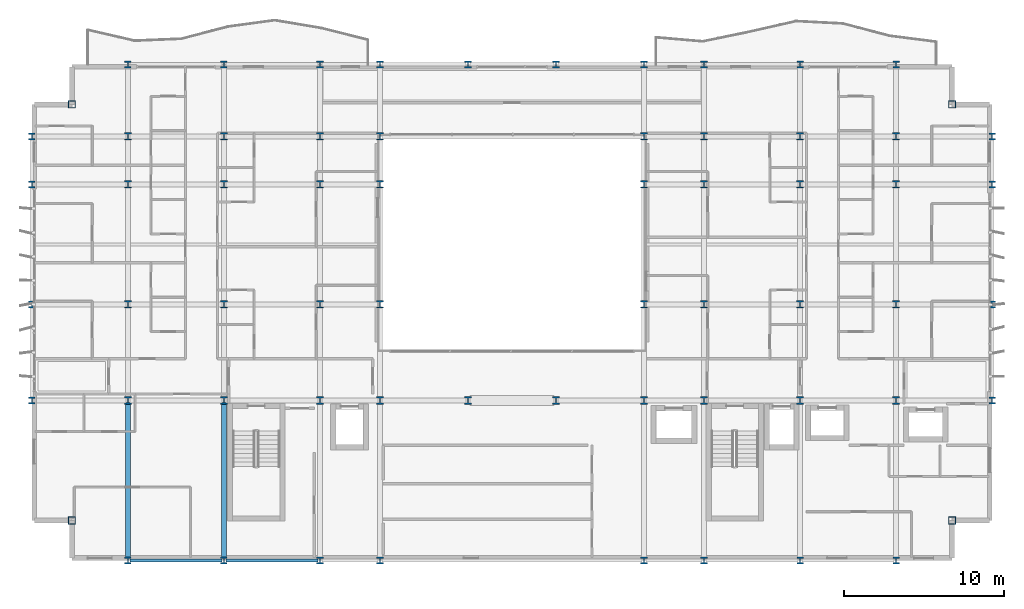
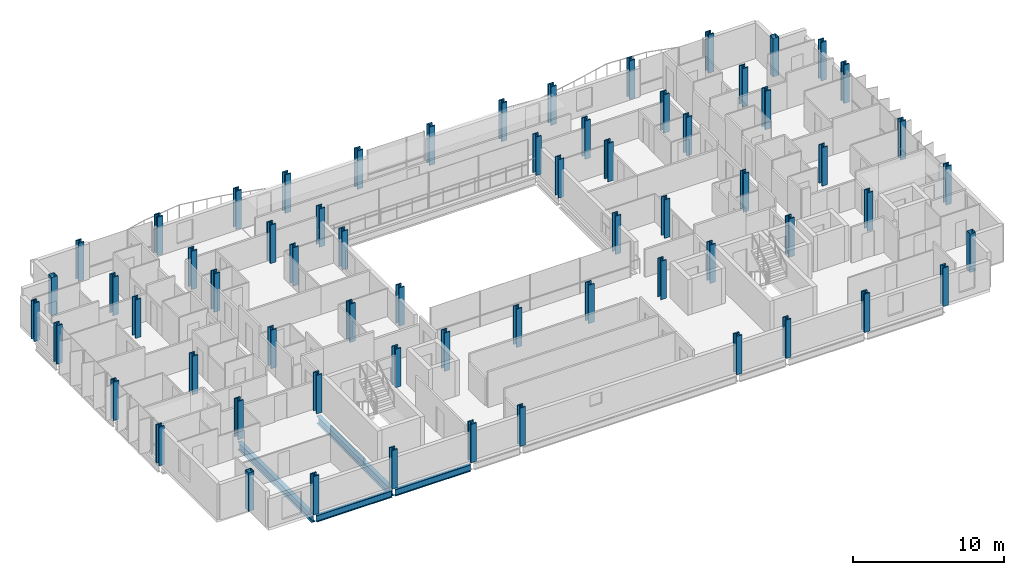
# One storey, part 1 of 39: 64 columns, 4 beams.
"""IFC4 building model written with IfcOpenShell, lengths in metres."""

import ifcopenshell
import ifcopenshell.guid

model = None  # the IFC model being written
_history = None  # IfcOwnerHistory: only IFC2X3 demands one
_inside = {}  # id of a spatial element -> (the spatial element, [elements in it])
_under = {}  # id of a project, library or spatial element -> (it, [spatial elements below it])
_declared = {}  # id of a project -> (the project, [libraries it declares])
_typed = {}  # id of a type object -> (the type object, [elements of that type])
_made_of = {}  # id of a material, layer set ... -> (it, [elements and type objects made of it])


def new_model(schema):
    """Start an empty IFC model of exactly this schema.

    Asked for "IFC4X3", IfcOpenShell would pick the latest addendum, in which some entities
    have other attributes; the version numbers below select the first issue.
    IFC2X3 requires an IfcOwnerHistory on every rooted entity: one is made here for all.
    """
    global model, _history
    if schema == "IFC4X3":
        model = ifcopenshell.file(schema_version=(4, 3, 0, 0))
    else:
        model = ifcopenshell.file(schema=schema)
    _inside.clear()
    _under.clear()
    _declared.clear()
    _typed.clear()
    _made_of.clear()
    _history = None
    if model.schema == "IFC2X3":
        org = make("IfcOrganization", Name="unknown")
        user = make(
            "IfcPersonAndOrganization",
            ThePerson=make("IfcPerson", FamilyName="unknown"),
            TheOrganization=org,
        )
        app = make(
            "IfcApplication",
            ApplicationDeveloper=org,
            Version="unknown",
            ApplicationFullName="unknown",
            ApplicationIdentifier="unknown",
        )
        _history = make(
            "IfcOwnerHistory",
            OwningUser=user,
            OwningApplication=app,
            ChangeAction="ADDED",
            CreationDate=0,
        )
    return model


def make(cls, **values):
    """One entity of the class cls with the attributes given. An attribute that is None is left unset."""
    return model.create_entity(
        cls, **{name: value for name, value in values.items() if value is not None}
    )


def rooted(cls, **values):
    """An entity with a GlobalId (a new one), such as an element, a storey or a relation."""
    return make(cls, GlobalId=ifcopenshell.guid.new(), OwnerHistory=_history, **values)


def si_unit(unit_type, name, prefix=None):
    """IfcSIUnit, for example si_unit("LENGTHUNIT", "METRE", prefix="MILLI")."""
    return make("IfcSIUnit", UnitType=unit_type, Prefix=prefix, Name=name)


def assignment(units):
    """IfcUnitAssignment: the units of a project."""
    return None if units is None else make("IfcUnitAssignment", Units=units)


def point(xyz):
    """IfcCartesianPoint."""
    return None if xyz is None else make("IfcCartesianPoint", Coordinates=xyz)


def direction(xyz):
    """IfcDirection."""
    return None if xyz is None else make("IfcDirection", DirectionRatios=xyz)


def frame(location, z_axis=None, x_axis=None):
    """IfcAxis2Placement3D, a coordinate frame: its origin and axes. An axis left out is left unset."""
    return make(
        "IfcAxis2Placement3D",
        Location=point(location),
        Axis=direction(z_axis),
        RefDirection=direction(x_axis),
    )


def frame_2d(location, x_axis=None):
    """IfcAxis2Placement2D, a coordinate frame in the plane: its origin and x axis."""
    return make(
        "IfcAxis2Placement2D", Location=point(location), RefDirection=direction(x_axis)
    )


def origin():
    """The frame at (0, 0, 0) with its axes left unset."""
    return frame((0.0, 0.0, 0.0))


def origin_2d():
    """The frame at (0, 0) in the plane with its x axis left unset."""
    return frame_2d((0.0, 0.0))


def place(relative_to, where):
    """IfcLocalPlacement: puts the frame where relative to a parent placement (None: the world)."""
    return make(
        "IfcLocalPlacement", PlacementRelTo=relative_to, RelativePlacement=where
    )


def context(
    kind, dimensions, precision=None, world=None, true_north=None, identifier=None
):
    """IfcGeometricRepresentationContext, for example the 3D "Model" context."""
    return make(
        "IfcGeometricRepresentationContext",
        ContextIdentifier=identifier,
        ContextType=kind,
        CoordinateSpaceDimension=dimensions,
        Precision=precision,
        WorldCoordinateSystem=world,
        TrueNorth=true_north,
    )


def subcontext(parent, identifier, kind, view, scale=None):
    """IfcGeometricRepresentationSubContext, for example "Body" below "Model"."""
    return make(
        "IfcGeometricRepresentationSubContext",
        ContextIdentifier=identifier,
        ContextType=kind,
        ParentContext=parent,
        TargetScale=scale,
        TargetView=view,
    )


def project(units=None, contexts=None):
    """IfcProject with its units and contexts."""
    return rooted(
        "IfcProject",
        Name="project",
        RepresentationContexts=contexts,
        UnitsInContext=assignment(units),
    )


def spatial(cls, under=None, at=None, **own):
    """A site, building, storey or space (cls), placed at a placement, below another one or the project."""
    s = rooted(cls, ObjectPlacement=at, **own)
    if under is not None:
        _under.setdefault(under.id(), (under, []))[1].append(s)
    return s


def profile(cls, at=None, kind="AREA", **sizes):
    """A parametric profile (cls). Its sizes go by their IFC names, for example OverallWidth=200.0."""
    return make(cls, ProfileType=kind, Position=at, **sizes)


def hollow_rectangle(**sizes):
    """IfcRectangleHollowProfileDef."""
    return profile("IfcRectangleHollowProfileDef", **sizes)


def i_section(**sizes):
    """IfcIShapeProfileDef."""
    return profile("IfcIShapeProfileDef", **sizes)


def extrude(swept, where, along, depth):
    """IfcExtrudedAreaSolid: the profile swept, set in the frame where, extruded along a direction by depth."""
    return make(
        "IfcExtrudedAreaSolid",
        SweptArea=swept,
        Position=where,
        ExtrudedDirection=direction(along),
        Depth=depth,
    )


def shape(context_of_items, identifier, shape_type, items):
    """IfcShapeRepresentation: the items that make up one representation, for example the "Body"."""
    return make(
        "IfcShapeRepresentation",
        ContextOfItems=context_of_items,
        RepresentationIdentifier=identifier,
        RepresentationType=shape_type,
        Items=items,
    )


def material(Name=None, Category=None):
    """IfcMaterial."""
    return make("IfcMaterial", Name=Name, Category=Category)


def material_profile(
    of_material, cross_section, Name=None, Category=None, Priority=None
):
    """IfcMaterialProfile: a cross section and its material."""
    return make(
        "IfcMaterialProfile",
        Name=Name,
        Material=of_material,
        Profile=cross_section,
        Priority=Priority,
        Category=Category,
    )


def profile_set(profiles, Name=None, composite=None):
    """IfcMaterialProfileSet."""
    return make(
        "IfcMaterialProfileSet",
        Name=Name,
        MaterialProfiles=profiles,
        CompositeProfile=composite,
    )


def made_of(thing, what):
    """Note that an element or type object is made of a material, layer set ...; save() writes the relation."""
    if what is not None:
        _made_of.setdefault(what.id(), (what, []))[1].append(thing)
    return thing


def type_object(cls, material=None, **own):
    """A type object (cls), such as IfcWallType, which elements share."""
    return made_of(rooted(cls, **own), material)


def element(
    cls,
    number,
    at=None,
    inside=None,
    cuts=None,
    type_object=None,
    material=None,
    context=None,
    identifier="Body",
    shape_type=None,
    held_by="IfcProductDefinitionShape",
    body=None,
    shapes=None,
    **own,
):
    """One element of the class cls, such as IfcWall. Its Tag is "e" and its number.

    at: its placement. inside: the storey or other place that contains it. cuts: it is an
    opening in that element (IfcRelVoidsElement). A single representation is given by context,
    identifier, shape_type and body (its items); several are given by shapes. held_by: the class
    of the entity that holds the representations. save() writes the other relations.
    """
    e = rooted(cls, Tag="e%d" % number, ObjectPlacement=at, **own)
    if body is not None:
        shapes = [shape(context, identifier, shape_type, body)]
    if shapes is not None:
        e.Representation = make(held_by, Representations=shapes)
    if inside is not None:
        _inside.setdefault(inside.id(), (inside, []))[1].append(e)
    if cuts is not None:
        rooted(
            "IfcRelVoidsElement", RelatingBuildingElement=cuts, RelatedOpeningElement=e
        )
    if type_object is not None:
        _typed.setdefault(type_object.id(), (type_object, []))[1].append(e)
    return made_of(e, material)


def aggregate(whole, parts):
    """IfcRelAggregates: a whole, such as a stair, and the parts it consists of."""
    return rooted("IfcRelAggregates", RelatingObject=whole, RelatedObjects=parts)


def save(model, path):
    """Write the relations noted so far, then the file.

    IfcRelAggregates (storeys below a building ...), IfcRelContainedInSpatialStructure (elements
    in a storey), IfcRelDefinesByType, IfcRelAssociatesMaterial and IfcRelDeclares: one each for
    every whole, place, type object, material and project.
    """
    for whole, parts in _under.values():
        aggregate(whole, parts)
    for where, things in _inside.values():
        rooted(
            "IfcRelContainedInSpatialStructure",
            RelatedElements=things,
            RelatingStructure=where,
        )
    for kind, things in _typed.values():
        rooted("IfcRelDefinesByType", RelatedObjects=things, RelatingType=kind)
    for what, things in _made_of.values():
        rooted("IfcRelAssociatesMaterial", RelatedObjects=things, RelatingMaterial=what)
    for by, libraries in _declared.values():
        rooted("IfcRelDeclares", RelatingContext=by, RelatedDefinitions=libraries)
    model.write(path)


model = new_model("IFC4")

# Units and contexts
model_context = context("Model", 3, precision=1e-05, world=origin(), true_north=direction((0.0, 1.0)))
body_context = subcontext(model_context, "Body", "Model", "MODEL_VIEW")
ifc_project = project(units=[si_unit("LENGTHUNIT", "METRE"), si_unit("AREAUNIT", "SQUARE_METRE"), si_unit("VOLUMEUNIT", "CUBIC_METRE"), si_unit("PLANEANGLEUNIT", "RADIAN"), si_unit("MASSUNIT", "GRAM", prefix="KILO")], contexts=[model_context])

# Site, building, storey
site_placement = place(None, origin())
site = spatial("IfcSite", under=ifc_project, at=site_placement, CompositionType="ELEMENT")
building_placement = place(site_placement, origin())
building = spatial("IfcBuilding", under=site, at=building_placement, Name="Brevholm Reach", CompositionType="ELEMENT")
storey_placement = place(building_placement, frame((0.0, 0.0, 34.199951171875)))
storey = spatial("IfcBuildingStorey", under=building, at=storey_placement, Name="L08", CompositionType="ELEMENT", Elevation=34.199951171875)

# Columns
ifc_material_1 = material(Name="Structural Steel S460ML", Category="steel")
ifc_material_profile_1 = material_profile(ifc_material_1, i_section(OverallWidth=0.4140625, OverallDepth=0.444091796875, WebThickness=0.060546875, FlangeThickness=0.096923828125, FilletRadius=0.014892578125, at=origin_2d()), Name="HD 400x818")
ifc_profile_set_1 = profile_set([ifc_material_profile_1], Name="Structural Steel S460ML")
column_type_1 = type_object("IfcColumnType", Name="COL-HD2", PredefinedType="COLUMN", material=ifc_profile_set_1)
for number, where, z_axis, x_axis, name in (
    (1, (0.0, 10.0, 0.0), (0.0, 0.0, 1.0), (1.0, 0.0, 0.0), "L08 Column 01"),
    (2, (0.0, 16.0, 0.0), (0.0, 0.0, 1.0), (1.0, 0.0, 0.0), "L08 Column 02"),
    (3, (0.0, 23.5, 0.0), (0.0, 0.0, 1.0), (1.0, 0.0, 0.0), "L08 Column 03"),
    (4, (0.0, 26.5, 0.0), (0.0, 0.0, 1.0), (1.0, 0.0, 0.0), "L08 Column 04"),
    (5, (6.0, 0.0, 0.0), (0.0, 0.0, 1.0), (1.0, 0.0, 0.0), "L08 Column 07"),
    (6, (6.0, 31.0, 0.0), (0.0, 0.0, 1.0), (1.0, 0.0, 0.0), "L08 Column 12"),
    (7, (12.0, 0.0, 0.0), (0.0, 0.0, 1.0), (1.0, 0.0, 0.0), "L08 Column 13"),
    (8, (12.0, 31.0, 0.0), (0.0, 0.0, 1.0), (1.0, 0.0, 0.0), "L08 Column 18"),
    (9, (18.0, 0.0, 0.0), (0.0, 0.0, 1.0), (1.0, 0.0, 0.0), "L08 Column 19"),
    (10, (18.0, 31.0, 0.0), (0.0, 0.0, 1.0), (1.0, 0.0, 0.0), "L08 Column 24"),
    (11, (21.75, 0.0, 0.0), (0.0, 0.0, 1.0), (1.0, 0.0, 0.0), "L08 Column 25"),
    (12, (21.75, 31.0, 0.0), (0.0, 0.0, 1.0), (1.0, 0.0, 0.0), "L08 Column 30"),
    (13, (27.25, 31.0, 0.0), (0.0, 0.0, 1.0), (1.0, 0.0, 0.0), "L08 Column 32"),
    (14, (32.75, 31.0, 0.0), (0.0, 0.0, 1.0), (1.0, 0.0, 0.0), "L08 Column 34"),
    (15, (38.25, 0.0, 0.0), (0.0, 0.0, 1.0), (1.0, 0.0, 0.0), "L08 Column 35"),
    (16, (38.25, 31.0, 0.0), (0.0, 0.0, 1.0), (1.0, 0.0, 0.0), "L08 Column 40"),
    (17, (42.0, 0.0, 0.0), (0.0, 0.0, 1.0), (1.0, 0.0, 0.0), "L08 Column 41"),
    (18, (42.0, 31.0, 0.0), (0.0, 0.0, 1.0), (1.0, 0.0, 0.0), "L08 Column 46"),
    (19, (48.0, 0.0, 0.0), (0.0, 0.0, 1.0), (1.0, 0.0, 0.0), "L08 Column 47"),
    (20, (48.0, 31.0, 0.0), (0.0, 0.0, 1.0), (1.0, 0.0, 0.0), "L08 Column 52"),
    (21, (54.0, 0.0, 0.0), (0.0, 0.0, 1.0), (1.0, 0.0, 0.0), "L08 Column 53"),
    (22, (54.0, 31.0, 0.0), (0.0, 0.0, 1.0), (1.0, 0.0, 0.0), "L08 Column 58"),
    (23, (60.0, 10.0, 0.0), (0.0, 0.0, 1.0), (1.0, 0.0, 0.0), "L08 Column 61"),
    (24, (60.0, 16.0, 0.0), (0.0, 0.0, 1.0), (1.0, 0.0, 0.0), "L08 Column 62"),
    (25, (60.0, 23.5, 0.0), (0.0, 0.0, 1.0), (1.0, 0.0, 0.0), "L08 Column 63"),
    (26, (60.0, 26.5, 0.0), (0.0, 0.0, 1.0), (1.0, 0.0, 0.0), "L08 Column 64"),
):
    element("IfcColumn", number, at=place(storey_placement, frame(where, z_axis=z_axis, x_axis=x_axis)), inside=storey, type_object=column_type_1, Name=name, PredefinedType="COLUMN", context=body_context, shape_type="SweptSolid", body=[
        extrude(i_section(OverallWidth=0.4140625, OverallDepth=0.444091796875, WebThickness=0.060546875, FlangeThickness=0.096923828125, FilletRadius=0.014892578125, at=origin_2d()), origin(), (0.0, 0.0, 1.0), 3.10009765625),
    ])
ifc_material_2 = material(Name="Structural Steel S460NH", Category="steel")
ifc_material_profile_2 = material_profile(ifc_material_2, hollow_rectangle(XDim=0.449951171875, YDim=0.449951171875, WallThickness=0.02490234375, InnerFilletRadius=0.011962890625, OuterFilletRadius=0.02392578125, at=origin_2d()), Name="SHS 450x450x25")
ifc_profile_set_2 = profile_set([ifc_material_profile_2], Name="Structural Steel S460NH")
column_type_2 = type_object("IfcColumnType", Name="COL-SHS1", PredefinedType="COLUMN", material=ifc_profile_set_2)
for number, where, z_axis, x_axis, name in (
    (27, (2.5, 2.5, 0.0), (0.0, 0.0, 1.0), (1.0, 0.0, 0.0), "L08 Column 05"),
    (28, (2.5, 28.5, 0.0), (0.0, 0.0, 1.0), (1.0, 0.0, 0.0), "L08 Column 06"),
    (29, (57.5, 2.5, 0.0), (0.0, 0.0, 1.0), (1.0, 0.0, 0.0), "L08 Column 59"),
    (30, (57.5, 28.5, 0.0), (0.0, 0.0, 1.0), (1.0, 0.0, 0.0), "L08 Column 60"),
):
    element("IfcColumn", number, at=place(storey_placement, frame(where, z_axis=z_axis, x_axis=x_axis)), inside=storey, type_object=column_type_2, Name=name, PredefinedType="COLUMN", context=body_context, shape_type="SweptSolid", body=[
        extrude(hollow_rectangle(XDim=0.449951171875, YDim=0.449951171875, WallThickness=0.02490234375, InnerFilletRadius=0.011962890625, OuterFilletRadius=0.02392578125, at=origin_2d()), origin(), (0.0, 0.0, 1.0), 3.10009765625),
    ])
ifc_material_3 = material(Name="Structural Steel S460ML", Category="steel")
ifc_material_profile_3 = material_profile(ifc_material_3, i_section(OverallWidth=0.424072265625, OverallDepth=0.474609375, WebThickness=0.047607421875, FlangeThickness=0.076904296875, FilletRadius=0.01513671875, at=origin_2d()), Name="UKC 356x406x634")
ifc_profile_set_3 = profile_set([ifc_material_profile_3], Name="Structural Steel S460ML")
column_type_3 = type_object("IfcColumnType", Name="COL-UC1", PredefinedType="COLUMN", material=ifc_profile_set_3)
for number, where, z_axis, x_axis, name in (
    (31, (6.0, 10.0, 0.0), (0.0, 0.0, 1.0), (1.0, 0.0, 0.0), "L08 Column 08"),
    (32, (6.0, 16.0, 0.0), (0.0, 0.0, 1.0), (1.0, 0.0, 0.0), "L08 Column 09"),
    (33, (6.0, 23.5, 0.0), (0.0, 0.0, 1.0), (1.0, 0.0, 0.0), "L08 Column 10"),
    (34, (6.0, 26.5, 0.0), (0.0, 0.0, 1.0), (1.0, 0.0, 0.0), "L08 Column 11"),
    (35, (12.0, 10.0, 0.0), (0.0, 0.0, 1.0), (1.0, 0.0, 0.0), "L08 Column 14"),
    (36, (12.0, 16.0, 0.0), (0.0, 0.0, 1.0), (1.0, 0.0, 0.0), "L08 Column 15"),
    (37, (12.0, 23.5, 0.0), (0.0, 0.0, 1.0), (1.0, 0.0, 0.0), "L08 Column 16"),
    (38, (12.0, 26.5, 0.0), (0.0, 0.0, 1.0), (1.0, 0.0, 0.0), "L08 Column 17"),
    (39, (18.0, 10.0, 0.0), (0.0, 0.0, 1.0), (1.0, 0.0, 0.0), "L08 Column 20"),
    (40, (18.0, 16.0, 0.0), (0.0, 0.0, 1.0), (1.0, 0.0, 0.0), "L08 Column 21"),
    (41, (18.0, 23.5, 0.0), (0.0, 0.0, 1.0), (1.0, 0.0, 0.0), "L08 Column 22"),
    (42, (18.0, 26.5, 0.0), (0.0, 0.0, 1.0), (1.0, 0.0, 0.0), "L08 Column 23"),
    (43, (21.75, 10.0, 0.0), (0.0, 0.0, 1.0), (1.0, 0.0, 0.0), "L08 Column 26"),
    (44, (21.75, 16.0, 0.0), (0.0, 0.0, 1.0), (1.0, 0.0, 0.0), "L08 Column 27"),
    (45, (21.75, 23.5, 0.0), (0.0, 0.0, 1.0), (1.0, 0.0, 0.0), "L08 Column 28"),
    (46, (21.75, 26.5, 0.0), (0.0, 0.0, 1.0), (1.0, 0.0, 0.0), "L08 Column 29"),
    (47, (27.25, 10.0, 0.0), (0.0, 0.0, 1.0), (1.0, 0.0, 0.0), "L08 Column 31"),
    (48, (32.75, 10.0, 0.0), (0.0, 0.0, 1.0), (1.0, 0.0, 0.0), "L08 Column 33"),
    (49, (38.25, 10.0, 0.0), (0.0, 0.0, 1.0), (1.0, 0.0, 0.0), "L08 Column 36"),
    (50, (38.25, 16.0, 0.0), (0.0, 0.0, 1.0), (1.0, 0.0, 0.0), "L08 Column 37"),
    (51, (38.25, 23.5, 0.0), (0.0, 0.0, 1.0), (1.0, 0.0, 0.0), "L08 Column 38"),
    (52, (38.25, 26.5, 0.0), (0.0, 0.0, 1.0), (1.0, 0.0, 0.0), "L08 Column 39"),
    (53, (42.0, 10.0, 0.0), (0.0, 0.0, 1.0), (1.0, 0.0, 0.0), "L08 Column 42"),
    (54, (42.0, 16.0, 0.0), (0.0, 0.0, 1.0), (1.0, 0.0, 0.0), "L08 Column 43"),
    (55, (42.0, 23.5, 0.0), (0.0, 0.0, 1.0), (1.0, 0.0, 0.0), "L08 Column 44"),
    (56, (42.0, 26.5, 0.0), (0.0, 0.0, 1.0), (1.0, 0.0, 0.0), "L08 Column 45"),
    (57, (48.0, 10.0, 0.0), (0.0, 0.0, 1.0), (1.0, 0.0, 0.0), "L08 Column 48"),
    (58, (48.0, 16.0, 0.0), (0.0, 0.0, 1.0), (1.0, 0.0, 0.0), "L08 Column 49"),
    (59, (48.0, 23.5, 0.0), (0.0, 0.0, 1.0), (1.0, 0.0, 0.0), "L08 Column 50"),
    (60, (48.0, 26.5, 0.0), (0.0, 0.0, 1.0), (1.0, 0.0, 0.0), "L08 Column 51"),
    (61, (54.0, 10.0, 0.0), (0.0, 0.0, 1.0), (1.0, 0.0, 0.0), "L08 Column 54"),
    (62, (54.0, 16.0, 0.0), (0.0, 0.0, 1.0), (1.0, 0.0, 0.0), "L08 Column 55"),
    (63, (54.0, 23.5, 0.0), (0.0, 0.0, 1.0), (1.0, 0.0, 0.0), "L08 Column 56"),
    (64, (54.0, 26.5, 0.0), (0.0, 0.0, 1.0), (1.0, 0.0, 0.0), "L08 Column 57"),
):
    element("IfcColumn", number, at=place(storey_placement, frame(where, z_axis=z_axis, x_axis=x_axis)), inside=storey, type_object=column_type_3, Name=name, PredefinedType="COLUMN", context=body_context, shape_type="SweptSolid", body=[
        extrude(i_section(OverallWidth=0.424072265625, OverallDepth=0.474609375, WebThickness=0.047607421875, FlangeThickness=0.076904296875, FilletRadius=0.01513671875, at=origin_2d()), origin(), (0.0, 0.0, 1.0), 3.10009765625),
    ])

# Beams
ifc_material_4 = material(Name="Structural Steel S355J2", Category="steel")
ifc_material_profile_4 = material_profile(ifc_material_4, i_section(OverallWidth=0.210693359375, OverallDepth=0.53955078125, WebThickness=0.01171875, FlangeThickness=0.018798828125, FilletRadius=0.0126953125, at=origin_2d()), Name="UKB 533x210x109")
ifc_profile_set_4 = profile_set([ifc_material_profile_4], Name="Structural Steel S355J2")
beam_type_1 = type_object("IfcBeamType", Name="BM-SP539", PredefinedType="SPANDREL", material=ifc_profile_set_4)
for number, where, z_axis, x_axis, name in (
    (65, (6.1201171875, 0.0, -0.499755859375), (1.0, 0.0, 0.0), (0.0, 1.0, 0.0), "L08 SP-01B Framing Beam"),
    (66, (12.1201171875, 0.0, -0.499755859375), (1.0, 0.0, 0.0), (0.0, 1.0, 0.0), "L08 SP-01B Framing Beam"),
):
    element("IfcBeam", number, at=place(storey_placement, frame(where, z_axis=z_axis, x_axis=x_axis)), inside=storey, type_object=beam_type_1, Name=name, PredefinedType="SPANDREL", context=body_context, shape_type="SweptSolid", body=[
        extrude(i_section(OverallWidth=0.210693359375, OverallDepth=0.53955078125, WebThickness=0.01171875, FlangeThickness=0.018798828125, FilletRadius=0.0126953125, at=origin_2d()), origin(), (0.0, 0.0, 1.0), 5.759765625),
    ])
ifc_material_5 = material(Name="Structural Steel S355J2", Category="steel")
ifc_material_profile_5 = material_profile(ifc_material_5, i_section(OverallWidth=0.30712890625, OverallDepth=0.6201171875, WebThickness=0.01416015625, FlangeThickness=0.023681640625, FilletRadius=0.0166015625, at=origin_2d()), Name="UKB 610x305x179")
ifc_profile_set_5 = profile_set([ifc_material_profile_5], Name="Structural Steel S355J2")
beam_type_2 = type_object("IfcBeamType", Name="BM-UKB610H", PredefinedType="USERDEFINED", material=ifc_profile_set_5)
for number, where, z_axis, x_axis, name in (
    (67, (6.0, 0.1201171875, -0.5400390625), (0.0, 1.0, 0.0), (-1.0, 0.0, 0.0), "L08 G-06 Framing Beam"),
    (68, (12.0, 0.1201171875, -0.5400390625), (0.0, 1.0, 0.0), (-1.0, 0.0, 0.0), "L08 G-06 Framing Beam"),
):
    element("IfcBeam", number, at=place(storey_placement, frame(where, z_axis=z_axis, x_axis=x_axis)), inside=storey, type_object=beam_type_2, Name=name, ObjectType="GIRDER", PredefinedType="USERDEFINED", context=body_context, shape_type="SweptSolid", body=[
        extrude(i_section(OverallWidth=0.30712890625, OverallDepth=0.6201171875, WebThickness=0.01416015625, FlangeThickness=0.023681640625, FilletRadius=0.0166015625, at=origin_2d()), origin(), (0.0, 0.0, 1.0), 9.759765625),
    ])

save(model, "model.ifc")
